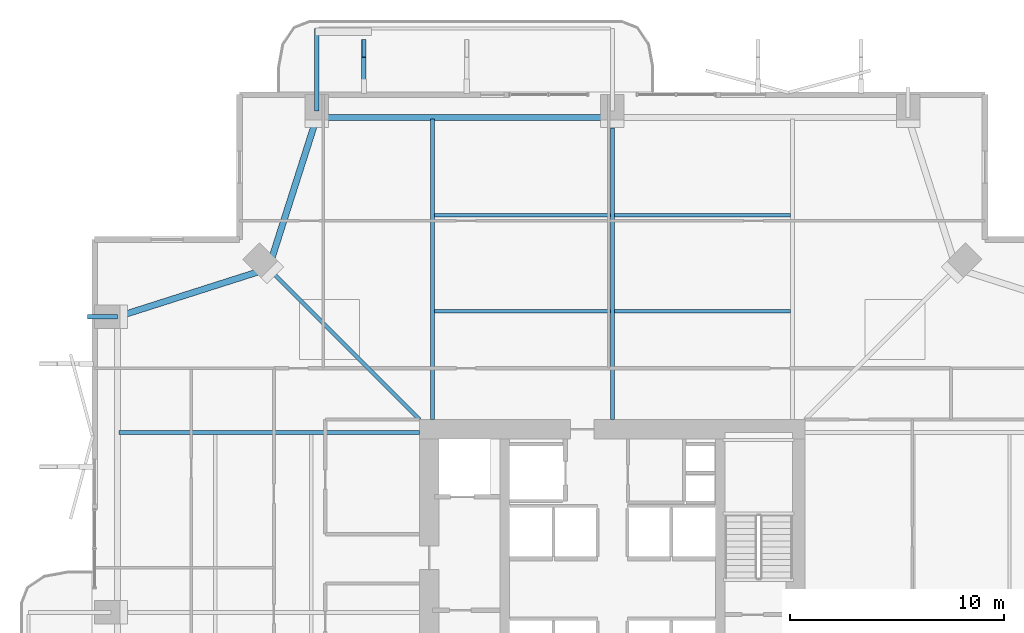
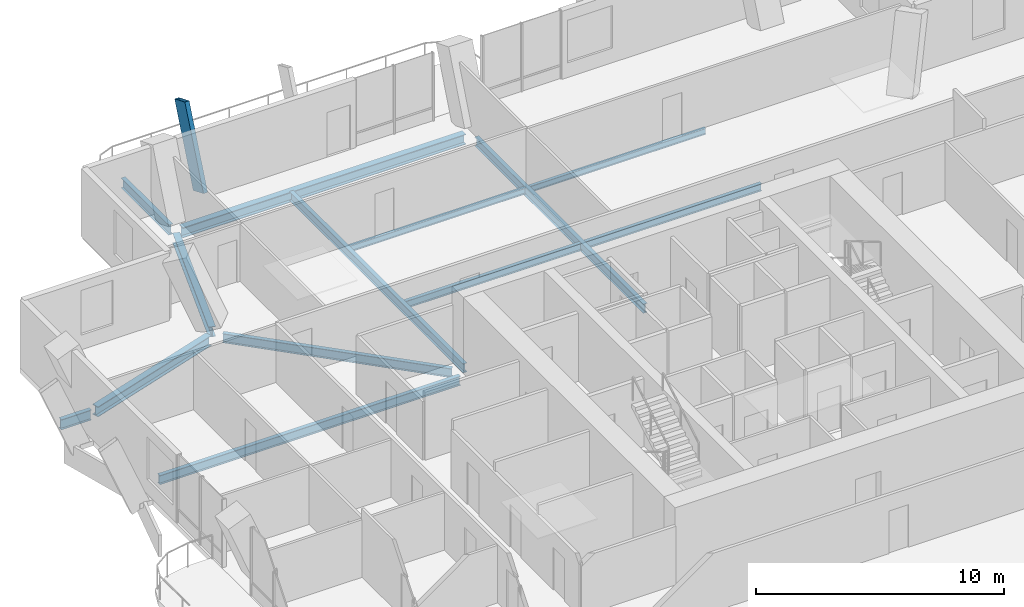
# One storey, part 12 of 24: 13 beams, 1 member.
"""IFC4 building model written with IfcOpenShell, lengths in metres."""

from ifc_helpers import new_model, si_unit, direction, frame, origin, origin_2d, place, context, subcontext, project, spatial, hollow_rectangle, i_section, extrude, material, material_profile, profile_set, type_object, element, save


model = new_model("IFC4")

# Units and contexts
model_context = context("Model", 3, precision=1e-05, world=origin(), true_north=direction((0.0, 1.0)))
body_context = subcontext(model_context, "Body", "Model", "MODEL_VIEW")
ifc_project = project(units=[si_unit("LENGTHUNIT", "METRE"), si_unit("AREAUNIT", "SQUARE_METRE"), si_unit("VOLUMEUNIT", "CUBIC_METRE"), si_unit("PLANEANGLEUNIT", "RADIAN"), si_unit("MASSUNIT", "GRAM", prefix="KILO")], contexts=[model_context])

# Site, building, storey
site_placement = place(None, origin())
site = spatial("IfcSite", under=ifc_project, at=site_placement, CompositionType="ELEMENT")
building_placement = place(site_placement, origin())
building = spatial("IfcBuilding", under=site, at=building_placement, Name="Belovzor Exchange Tower", CompositionType="ELEMENT")
storey_placement = place(building_placement, frame((0.0, 0.0, 190.800048828125)))
storey = spatial("IfcBuildingStorey", under=building, at=storey_placement, Name="L47", CompositionType="ELEMENT", Elevation=190.800048828125)

# Beams
ifc_material_1 = material(Name="Steel S355", Category="steel")
ifc_material_profile_1 = material_profile(ifc_material_1, i_section(OverallWidth=0.199951171875, OverallDepth=0.5, WebThickness=0.01025390625, FlangeThickness=0.01611328125, at=origin_2d()))
ifc_profile_set_1 = profile_set([ifc_material_profile_1], Name="Steel S355")
beam_type_1 = type_object("IfcBeamType", Name="Planted Balcony Cantilever Beam IPE 500", PredefinedType="BEAM", material=ifc_profile_set_1)
beam_1_placement = place(storey_placement, frame((15.0, 52.202880859375, -0.505126953125), z_axis=(0.0, 1.0, 0.0), x_axis=(-1.0, 0.0, 0.0)))
element("IfcBeam", 1, at=beam_1_placement, inside=storey, type_object=beam_type_1, Name="BC-500 Planted Balcony Cantilever Beam IPE 500", PredefinedType="BEAM", context=body_context, shape_type="SweptSolid", body=[
    extrude(i_section(OverallWidth=0.199951171875, OverallDepth=0.5, WebThickness=0.01025390625, FlangeThickness=0.01611328125, at=origin_2d()), origin(), (0.0, 0.0, 1.0), 3.85009765625),
])
beam_2_placement = place(storey_placement, frame((5.699951171875, 42.60009765625, -0.505126953125), z_axis=(-1.0, 0.0, 0.0), x_axis=(0.0, -1.0, 0.0)))
element("IfcBeam", 2, at=beam_2_placement, inside=storey, type_object=beam_type_1, Name="BC-500 Planted Balcony Cantilever Beam IPE 500", PredefinedType="BEAM", context=body_context, shape_type="SweptSolid", body=[
    extrude(i_section(OverallWidth=0.199951171875, OverallDepth=0.5, WebThickness=0.01025390625, FlangeThickness=0.01611328125, at=origin_2d()), origin(), (0.0, 0.0, 1.0), 1.39990234375),
])
ifc_material_2 = material(Name="Steel S355", Category="steel")
ifc_material_profile_2 = material_profile(ifc_material_2, i_section(OverallWidth=0.169921875, OverallDepth=0.360107421875, WebThickness=0.008056640625, FlangeThickness=0.0126953125, at=origin_2d()))
ifc_profile_set_2 = profile_set([ifc_material_profile_2], Name="Steel S355")
beam_type_2 = type_object("IfcBeamType", Name="Secondary Infill Floor Joist IPE 360", PredefinedType="BEAM", material=ifc_profile_set_2)
for number, where, z_axis, x_axis, name in (
    (3, (20.4951171875, 42.84912109375, -0.43505859375), (1.0, 0.0, 0.0), (0.0, 1.0, 0.0), "FJ-360 Secondary Infill Floor Joist IPE 360"),
    (4, (28.89501953125, 42.84912109375, -0.43505859375), (1.0, 0.0, 0.0), (0.0, 1.0, 0.0), "FJ-360 Secondary Infill Floor Joist IPE 360"),
):
    element("IfcBeam", number, at=place(storey_placement, frame(where, z_axis=z_axis, x_axis=x_axis)), inside=storey, type_object=beam_type_2, Name=name, PredefinedType="BEAM", context=body_context, shape_type="SweptSolid", body=[
        extrude(i_section(OverallWidth=0.169921875, OverallDepth=0.360107421875, WebThickness=0.008056640625, FlangeThickness=0.0126953125, at=origin_2d()), origin(), (0.0, 0.0, 1.0), 8.2099609375),
    ])
ifc_material_3 = material(Name="Steel S355", Category="steel")
ifc_material_profile_3 = material_profile(ifc_material_3, i_section(OverallWidth=0.14990234375, OverallDepth=0.300048828125, WebThickness=0.007080078125, FlangeThickness=0.0107421875, at=origin_2d()))
ifc_profile_set_3 = profile_set([ifc_material_profile_3], Name="Steel S355")
beam_type_3 = type_object("IfcBeamType", Name="Secondary Trim Floor Joist IPE 300", PredefinedType="BEAM", material=ifc_profile_set_3)
for number, where, z_axis, x_axis, name in (
    (5, (20.4951171875, 47.3369140625, -0.405029296875), (1.0, 0.0, 0.0), (0.0, 1.0, 0.0), "FJ-300 Secondary Trim Floor Joist IPE 300"),
    (6, (28.89501953125, 47.3369140625, -0.405029296875), (1.0, 0.0, 0.0), (0.0, 1.0, 0.0), "FJ-300 Secondary Trim Floor Joist IPE 300"),
):
    element("IfcBeam", number, at=place(storey_placement, frame(where, z_axis=z_axis, x_axis=x_axis)), inside=storey, type_object=beam_type_3, Name=name, PredefinedType="BEAM", context=body_context, shape_type="SweptSolid", body=[
        extrude(i_section(OverallWidth=0.14990234375, OverallDepth=0.300048828125, WebThickness=0.007080078125, FlangeThickness=0.0107421875, at=origin_2d()), origin(), (0.0, 0.0, 1.0), 8.2099609375),
    ])

# Member
ifc_material_4 = material(Name="Extruded Architectural Terracotta on Steel S355 Carrier", Category="masonry")
ifc_material_profile_4 = material_profile(ifc_material_4, hollow_rectangle(XDim=0.199951171875, YDim=0.89990234375, WallThickness=0.011962890625, at=origin_2d()))
ifc_profile_set_4 = profile_set([ifc_material_profile_4], Name="Extruded Architectural Terracotta on Steel S355 Carrier")
member_type = type_object("IfcMemberType", Name="Sweeping Terracotta Baguette Fin Assembly 1250", PredefinedType="USERDEFINED", material=ifc_profile_set_4)
member_placement = place(storey_placement, frame((17.199951171875, 53.625, -0.255126953125), z_axis=(0.0, 0.384162484071, 0.923265501268), x_axis=(-1.0, 0.0, 0.0)))
element("IfcMember", 7, at=member_placement, inside=storey, type_object=member_type, Name="FIN-TC125 Terracotta Facade Fin L47 N1", ObjectType="FIN", PredefinedType="USERDEFINED", context=body_context, shape_type="SweptSolid", body=[
    extrude(hollow_rectangle(XDim=0.199951171875, YDim=0.89990234375, WallThickness=0.011962890625, at=origin_2d()), origin(), (0.0, 0.0, 1.0), 3.904541015625),
])

# Beams
ifc_material_5 = material(Name="Steel S355", Category="steel")
ifc_material_profile_5 = material_profile(ifc_material_5, i_section(OverallWidth=0.18994140625, OverallDepth=0.449951171875, WebThickness=0.009521484375, FlangeThickness=0.0146484375, at=origin_2d()))
ifc_profile_set_5 = profile_set([ifc_material_profile_5], Name="Steel S355")
beam_type_4 = type_object("IfcBeamType", Name="Zone 2-4 Radial Composite Floor Beam IPE 450", PredefinedType="BEAM", material=ifc_profile_set_5)
beam_3_placement = place(storey_placement, frame((20.39990234375, 37.800048828125, -0.47998046875), z_axis=(0.0, 1.0, 0.0), x_axis=(-1.0, 0.0, 0.0)))
element("IfcBeam", 8, at=beam_3_placement, inside=storey, type_object=beam_type_4, Name="FB-450 Zone 2-4 Radial Composite Floor Beam IPE 450", PredefinedType="BEAM", context=body_context, shape_type="SweptSolid", body=[
    extrude(i_section(OverallWidth=0.18994140625, OverallDepth=0.449951171875, WebThickness=0.009521484375, FlangeThickness=0.0146484375, at=origin_2d()), origin(), (0.0, 0.0, 1.0), 14.02490234375),
])
beam_4_placement = place(storey_placement, frame((28.800048828125, 37.800048828125, -0.47998046875), z_axis=(0.0, 1.0, 0.0), x_axis=(-1.0, 0.0, 0.0)))
element("IfcBeam", 9, at=beam_4_placement, inside=storey, type_object=beam_type_4, Name="FB-450 Zone 2-4 Radial Composite Floor Beam IPE 450", PredefinedType="BEAM", context=body_context, shape_type="SweptSolid", body=[
    extrude(i_section(OverallWidth=0.18994140625, OverallDepth=0.449951171875, WebThickness=0.009521484375, FlangeThickness=0.0146484375, at=origin_2d()), origin(), (0.0, 0.0, 1.0), 13.615966796875),
])
beam_5_placement = place(storey_placement, frame((19.800048828125, 37.199951171875, -0.47998046875), z_axis=(-1.0, 0.0, 0.0), x_axis=(0.0, -1.0, 0.0)))
element("IfcBeam", 10, at=beam_5_placement, inside=storey, type_object=beam_type_4, Name="FB-450 Zone 2-4 Radial Composite Floor Beam IPE 450", PredefinedType="BEAM", context=body_context, shape_type="SweptSolid", body=[
    extrude(i_section(OverallWidth=0.18994140625, OverallDepth=0.449951171875, WebThickness=0.009521484375, FlangeThickness=0.0146484375, at=origin_2d()), origin(), (0.0, 0.0, 1.0), 14.025146484375),
])
beam_6_placement = place(storey_placement, frame((19.800048828125, 37.800048828125, -0.47998046875), z_axis=(-0.707119521505, 0.707094040639, 0.0), x_axis=(-0.707094040639, -0.707119521505, 0.0)))
element("IfcBeam", 11, at=beam_6_placement, inside=storey, type_object=beam_type_4, Name="FB-450 Zone 2-4 Radial Composite Floor Beam IPE 450", PredefinedType="BEAM", context=body_context, shape_type="SweptSolid", body=[
    extrude(i_section(OverallWidth=0.18994140625, OverallDepth=0.449951171875, WebThickness=0.009521484375, FlangeThickness=0.0146484375, at=origin_2d()), origin(), (0.0, 0.0, 1.0), 9.581298828125),
])
ifc_material_6 = material(Name="Steel S355", Category="steel")
ifc_material_profile_6 = material_profile(ifc_material_6, i_section(OverallWidth=0.300048828125, OverallDepth=0.5, WebThickness=0.014404296875, FlangeThickness=0.028076171875, at=origin_2d()))
ifc_profile_set_6 = profile_set([ifc_material_profile_6], Name="Steel S355")
beam_type_5 = type_object("IfcBeamType", Name="Zone 3 Waist Primary Girder HEB 500", PredefinedType="BEAM", material=ifc_profile_set_6)
beam_7_placement = place(storey_placement, frame((28.498046875, 51.89990234375, -0.505126953125), z_axis=(-1.0, 0.0, 0.0), x_axis=(0.0, -1.0, 0.0)))
element("IfcBeam", 12, at=beam_7_placement, inside=storey, type_object=beam_type_5, Name="FG-Z3 Zone 3 Waist Primary Girder HEB 500", PredefinedType="BEAM", context=body_context, shape_type="SweptSolid", body=[
    extrude(i_section(OverallWidth=0.300048828125, OverallDepth=0.5, WebThickness=0.014404296875, FlangeThickness=0.028076171875, at=origin_2d()), origin(), (0.0, 0.0, 1.0), 13.195068359375),
])
for number, where, z_axis, x_axis, name in (
    (13, (14.907958984375, 51.612060546875, -0.505126953125), (-0.304001325621, -0.952671608699, 0.0), (0.952671608699, -0.304001325621, 0.0), "FG-Z3 Zone 3 Waist Primary Girder HEB 500"),
    (14, (12.4619140625, 44.758056640625, -0.505126953125), (-0.952657882792, -0.304044336164, 0.0), (0.304044336164, -0.952657882792, 0.0), "FG-Z3 Zone 3 Waist Primary Girder HEB 500"),
):
    element("IfcBeam", number, at=place(storey_placement, frame(where, z_axis=z_axis, x_axis=x_axis)), inside=storey, type_object=beam_type_5, Name=name, PredefinedType="BEAM", context=body_context, shape_type="SweptSolid", body=[
        extrude(i_section(OverallWidth=0.300048828125, OverallDepth=0.5, WebThickness=0.014404296875, FlangeThickness=0.028076171875, at=origin_2d()), origin(), (0.0, 0.0, 1.0), 6.795654296875),
    ])

save(model, "model.ifc")
